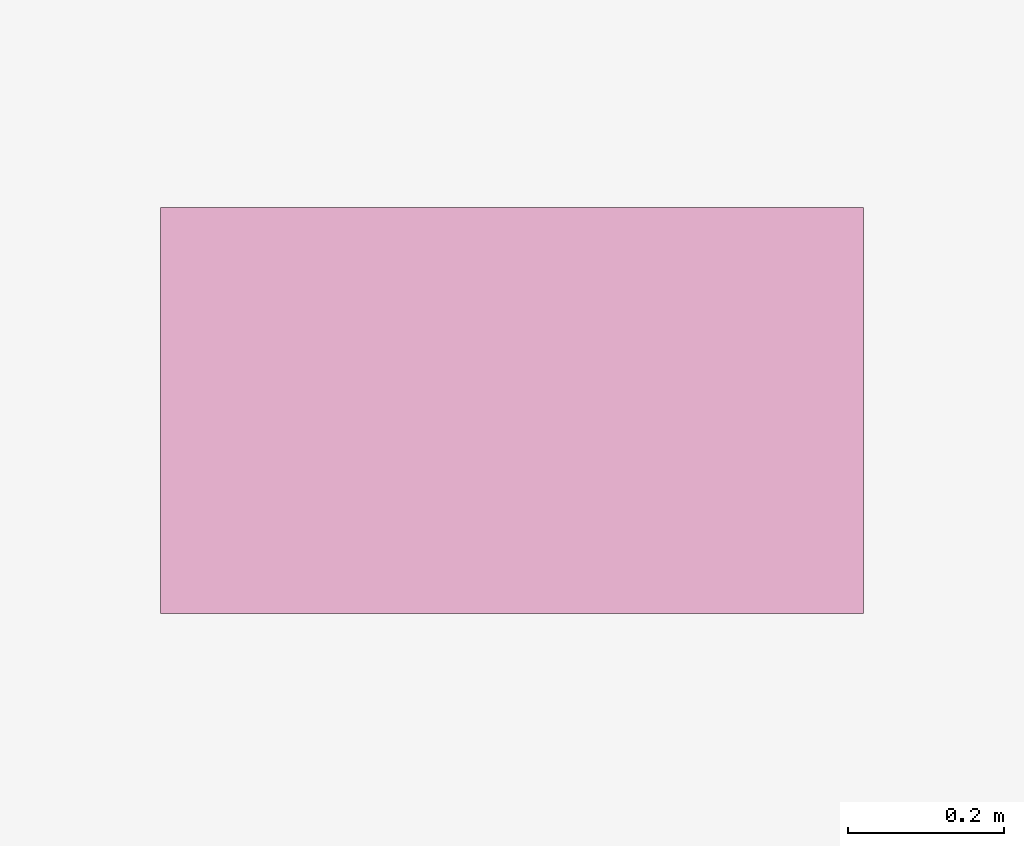
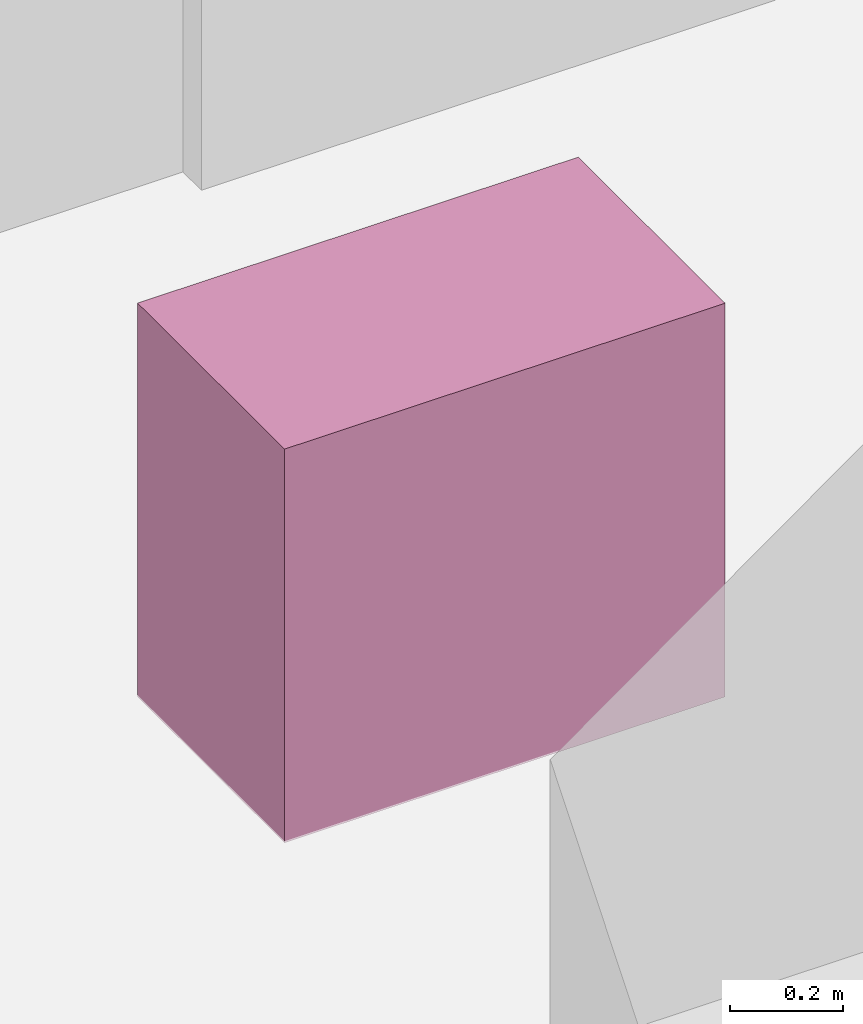
# One storey, part 34 of 34: 1 furnishing.
"""IFC4 building model written with IfcOpenShell, lengths in metres."""

from ifc_helpers import new_model, si_unit, direction, frame, origin, origin_2d, place, context, subcontext, project, spatial, rectangle, extrude, material, type_object, element, save


model = new_model("IFC4")

# Units and contexts
model_context = context("Model", 3, precision=1e-05, world=origin(), true_north=direction((0.0, 1.0)))
body_context = subcontext(model_context, "Body", "Model", "MODEL_VIEW")
ifc_project = project(units=[si_unit("LENGTHUNIT", "METRE"), si_unit("AREAUNIT", "SQUARE_METRE"), si_unit("VOLUMEUNIT", "CUBIC_METRE"), si_unit("PLANEANGLEUNIT", "RADIAN"), si_unit("MASSUNIT", "GRAM", prefix="KILO")], contexts=[model_context])

# Site, building, storey
site_placement = place(None, origin())
site = spatial("IfcSite", under=ifc_project, at=site_placement, CompositionType="ELEMENT")
building_placement = place(site_placement, origin())
building = spatial("IfcBuilding", under=site, at=building_placement, Name="Vorneva Point Tower", CompositionType="ELEMENT")
storey_placement = place(building_placement, frame((0.0, 0.0, 210.75)))
storey = spatial("IfcBuildingStorey", under=building, at=storey_placement, Name="L57", CompositionType="ELEMENT", Elevation=210.75)

# Furnishing
ifc_material = material(Name="Vitreous china and granite top", Category="masonry")
furniture_type = type_object("IfcFurnitureType", Name="FUR-VAN-900", AssemblyPlace="NOTDEFINED", PredefinedType="NOTDEFINED", material=ifc_material)
furnishing_placement = place(storey_placement, frame((35.425048828125, 32.1201171875, -0.005126953125), z_axis=(0.0, 0.0, 1.0), x_axis=(1.0, 0.0, 0.0)))
element("IfcFurnishingElement", 1, at=furnishing_placement, inside=storey, type_object=furniture_type, Name="L57 Accessible WC Vanity Unit", ObjectType="L57 Accessible WC Vanity Unit", context=body_context, shape_type="SweptSolid", body=[
    extrude(rectangle(XDim=0.89990234375, YDim=0.52001953125, at=origin_2d()), origin(), (0.0, 0.0, 1.0), 0.85009765625),
])

save(model, "model.ifc")
